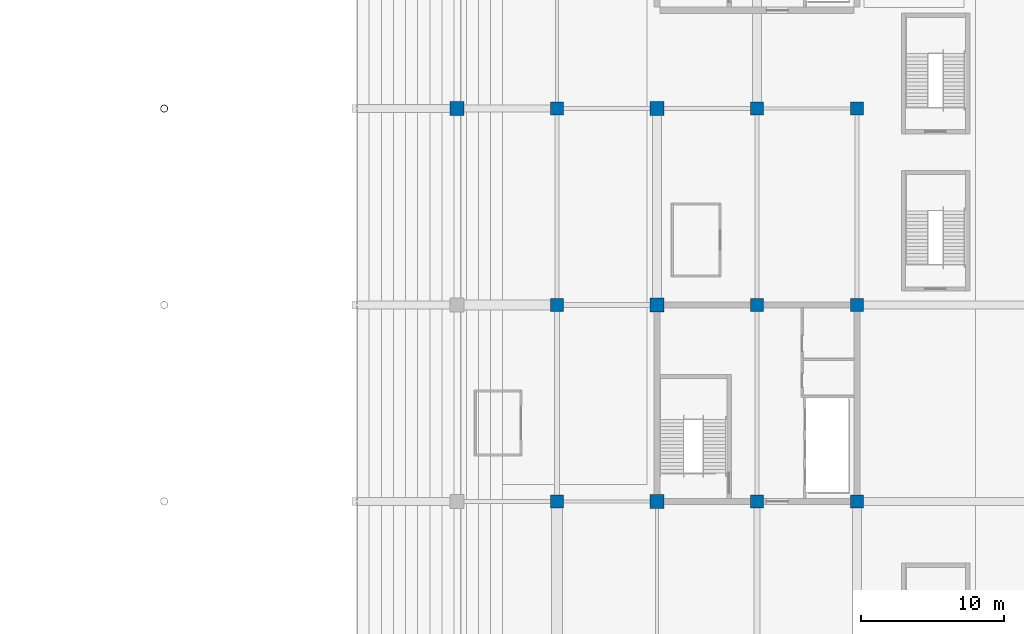
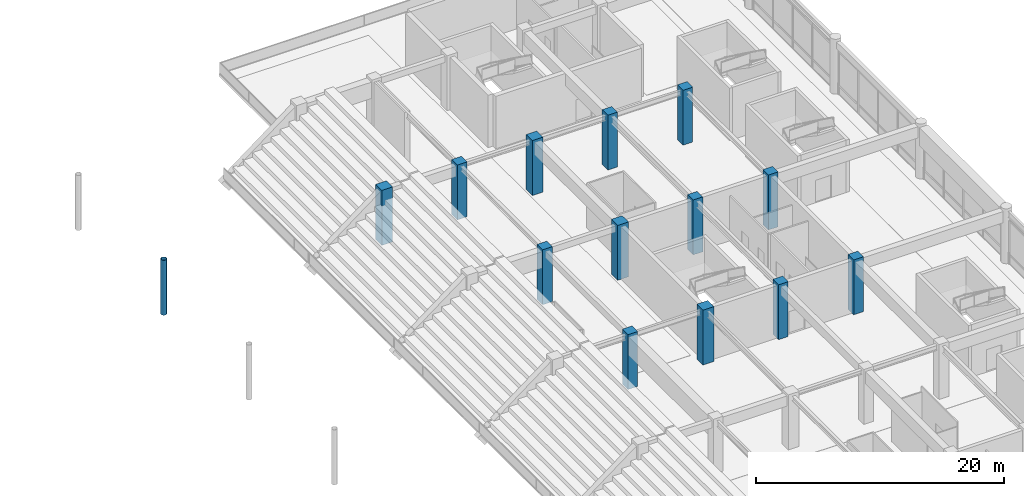
# One storey, part 14 of 117: 14 columns.
"""IFC4 building model written with IfcOpenShell, lengths in metres."""

from ifc_helpers import new_model, si_unit, direction, frame, origin, origin_2d, place, context, subcontext, project, spatial, rectangle, hollow_circle, extrude, material, material_profile, profile_set, type_object, element, save


model = new_model("IFC4")

# Units and contexts
model_context = context("Model", 3, precision=1e-05, world=origin(), true_north=direction((0.0, 1.0)))
body_context = subcontext(model_context, "Body", "Model", "MODEL_VIEW")
ifc_project = project(units=[si_unit("LENGTHUNIT", "METRE"), si_unit("AREAUNIT", "SQUARE_METRE"), si_unit("VOLUMEUNIT", "CUBIC_METRE"), si_unit("PLANEANGLEUNIT", "RADIAN"), si_unit("MASSUNIT", "GRAM", prefix="KILO")], contexts=[model_context])

# Site, building, storey
site_placement = place(None, origin())
site = spatial("IfcSite", under=ifc_project, at=site_placement, CompositionType="ELEMENT")
building_placement = place(site_placement, origin())
building = spatial("IfcBuilding", under=site, at=building_placement, Name="Linyun Crest Stadium", CompositionType="ELEMENT")
storey_placement = place(building_placement, frame((0.0, 0.0, 6.0)))
storey = spatial("IfcBuildingStorey", under=building, at=storey_placement, Name="L02", CompositionType="ELEMENT", Elevation=6.0)

# Columns
ifc_material_1 = material(Name="Concrete C50", Category="concrete")
ifc_material_profile_1 = material_profile(ifc_material_1, rectangle(XDim=0.89990234375, YDim=0.89990234375, at=origin_2d()), Name="RC 900x900")
ifc_profile_set_1 = profile_set([ifc_material_profile_1], Name="Concrete C50")
column_type_1 = type_object("IfcColumnType", Name="C04", PredefinedType="COLUMN", material=ifc_profile_set_1)
for number, where, z_axis, x_axis, name in (
    (1, (63.0, 2.125, 0.0), (0.0, 0.0, 1.0), (1.0, 0.0, 0.0), "Column C04 L02 375"),
    (2, (63.0, 15.875, 0.0), (0.0, 0.0, 1.0), (1.0, 0.0, 0.0), "Column C04 L02 380"),
    (3, (63.0, 29.625, 0.0), (0.0, 0.0, 1.0), (1.0, 0.0, 0.0), "Column C04 L02 385"),
    (4, (77.0, 2.125, 0.0), (0.0, 0.0, 1.0), (1.0, 0.0, 0.0), "Column C04 L02 463"),
    (5, (77.0, 15.875, 0.0), (0.0, 0.0, 1.0), (1.0, 0.0, 0.0), "Column C04 L02 468"),
    (6, (77.0, 29.625, 0.0), (0.0, 0.0, 1.0), (1.0, 0.0, 0.0), "Column C04 L02 473"),
    (7, (84.0, 2.125, 0.0), (0.0, 0.0, 1.0), (1.0, 0.0, 0.0), "Column C04 L02 507"),
    (8, (84.0, 15.875, 0.0), (0.0, 0.0, 1.0), (1.0, 0.0, 0.0), "Column C04 L02 513"),
    (9, (84.0, 29.625, 0.0), (0.0, 0.0, 1.0), (1.0, 0.0, 0.0), "Column C04 L02 519"),
):
    element("IfcColumn", number, at=place(storey_placement, frame(where, z_axis=z_axis, x_axis=x_axis)), inside=storey, type_object=column_type_1, Name=name, PredefinedType="COLUMN", context=body_context, shape_type="SweptSolid", body=[
        extrude(rectangle(XDim=0.89990234375, YDim=0.89990234375, at=origin_2d()), origin(), (0.0, 0.0, 1.0), 5.39794921875),
    ])
ifc_material_2 = material(Name="Concrete C50", Category="concrete")
ifc_material_profile_2 = material_profile(ifc_material_2, rectangle(XDim=1.0, YDim=1.0, at=origin_2d()), Name="RC 1000x1000")
ifc_profile_set_2 = profile_set([ifc_material_profile_2], Name="Concrete C50")
column_type_2 = type_object("IfcColumnType", Name="C05", PredefinedType="COLUMN", material=ifc_profile_set_2)
for number, where, z_axis, x_axis, name in (
    (10, (56.0, 29.625, 0.0), (0.0, 0.0, 1.0), (1.0, 0.0, 0.0), "Column C05 L02 347"),
    (11, (70.0, 2.125, 0.0), (0.0, 0.0, 1.0), (1.0, 0.0, 0.0), "Column C05 L02 419"),
    (12, (70.0, 15.875, 0.0), (0.0, 0.0, 1.0), (1.0, 0.0, 0.0), "Column C05 L02 425"),
    (13, (70.0, 29.625, 0.0), (0.0, 0.0, 1.0), (1.0, 0.0, 0.0), "Column C05 L02 431"),
):
    element("IfcColumn", number, at=place(storey_placement, frame(where, z_axis=z_axis, x_axis=x_axis)), inside=storey, type_object=column_type_2, Name=name, PredefinedType="COLUMN", context=body_context, shape_type="SweptSolid", body=[
        extrude(rectangle(XDim=1.0, YDim=1.0, at=origin_2d()), origin(), (0.0, 0.0, 1.0), 5.39794921875),
    ])
ifc_material_3 = material(Name="Steel Q355C", Category="steel")
ifc_material_profile_3 = material_profile(ifc_material_3, hollow_circle(Radius=0.25390625, WallThickness=0.02490234375, at=origin_2d()), Name="CHS 508x25")
ifc_profile_set_3 = profile_set([ifc_material_profile_3], Name="Steel Q355C")
column_type_3 = type_object("IfcColumnType", Name="SC05", PredefinedType="COLUMN", material=ifc_profile_set_3)
column_placement = place(storey_placement, frame((35.5, 29.625, 0.0), z_axis=(0.0, 0.0, 1.0), x_axis=(1.0, 0.0, 0.0)))
element("IfcColumn", 14, at=column_placement, inside=storey, type_object=column_type_3, Name="Arch colonnade column SC05 L02 30", PredefinedType="COLUMN", context=body_context, shape_type="SweptSolid", body=[
    extrude(hollow_circle(Radius=0.25390625, WallThickness=0.02490234375, at=origin_2d()), origin(), (0.0, 0.0, 1.0), 5.39990234375),
])

save(model, "model.ifc")
